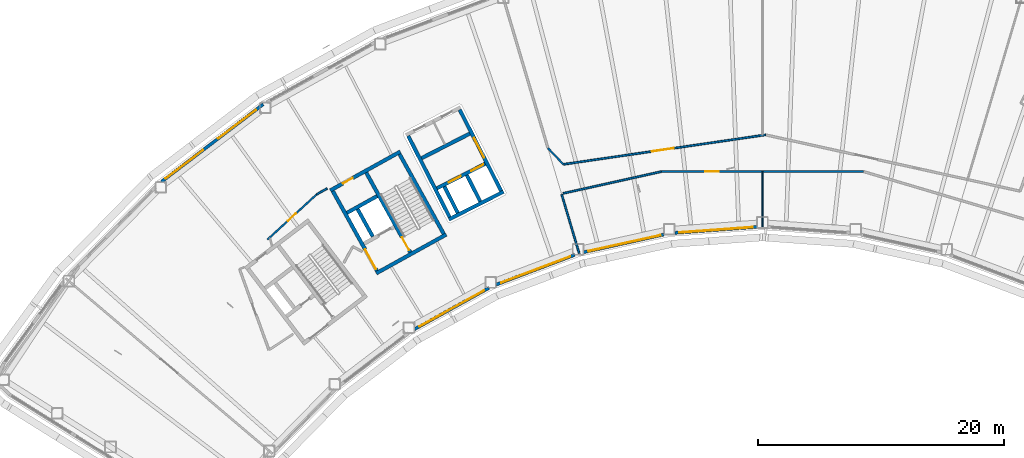
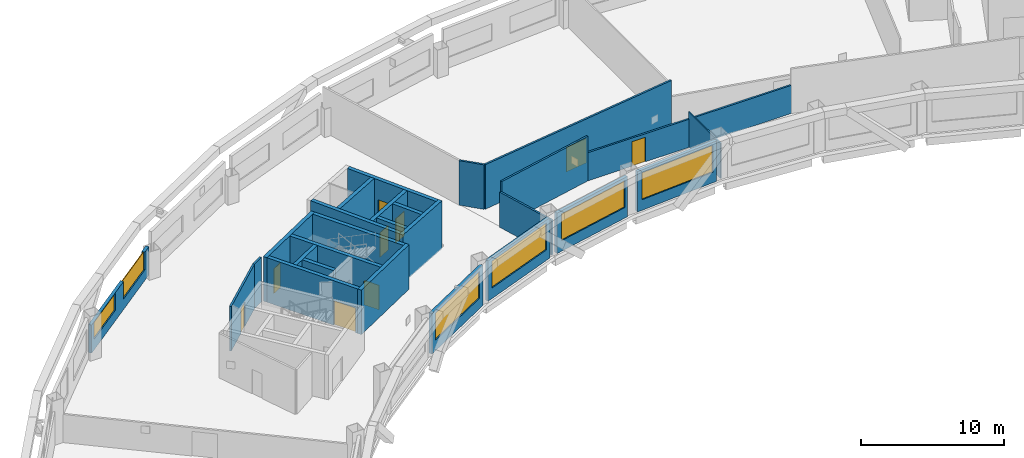
# One storey, part 6 of 20: 27 walls, 9 doors, 6 windows, 15 openings.
"""IFC4 building model written with IfcOpenShell, lengths in metres."""

import ifcopenshell
import ifcopenshell.guid

model = None  # the IFC model being written
_history = None  # IfcOwnerHistory: only IFC2X3 demands one
_inside = {}  # id of a spatial element -> (the spatial element, [elements in it])
_under = {}  # id of a project, library or spatial element -> (it, [spatial elements below it])
_declared = {}  # id of a project -> (the project, [libraries it declares])
_typed = {}  # id of a type object -> (the type object, [elements of that type])
_made_of = {}  # id of a material, layer set ... -> (it, [elements and type objects made of it])


def new_model(schema):
    """Start an empty IFC model of exactly this schema.

    Asked for "IFC4X3", IfcOpenShell would pick the latest addendum, in which some entities
    have other attributes; the version numbers below select the first issue.
    IFC2X3 requires an IfcOwnerHistory on every rooted entity: one is made here for all.
    """
    global model, _history
    if schema == "IFC4X3":
        model = ifcopenshell.file(schema_version=(4, 3, 0, 0))
    else:
        model = ifcopenshell.file(schema=schema)
    _inside.clear()
    _under.clear()
    _declared.clear()
    _typed.clear()
    _made_of.clear()
    _history = None
    if model.schema == "IFC2X3":
        org = make("IfcOrganization", Name="unknown")
        user = make(
            "IfcPersonAndOrganization",
            ThePerson=make("IfcPerson", FamilyName="unknown"),
            TheOrganization=org,
        )
        app = make(
            "IfcApplication",
            ApplicationDeveloper=org,
            Version="unknown",
            ApplicationFullName="unknown",
            ApplicationIdentifier="unknown",
        )
        _history = make(
            "IfcOwnerHistory",
            OwningUser=user,
            OwningApplication=app,
            ChangeAction="ADDED",
            CreationDate=0,
        )
    return model


def make(cls, **values):
    """One entity of the class cls with the attributes given. An attribute that is None is left unset."""
    return model.create_entity(
        cls, **{name: value for name, value in values.items() if value is not None}
    )


def rooted(cls, **values):
    """An entity with a GlobalId (a new one), such as an element, a storey or a relation."""
    return make(cls, GlobalId=ifcopenshell.guid.new(), OwnerHistory=_history, **values)


def si_unit(unit_type, name, prefix=None):
    """IfcSIUnit, for example si_unit("LENGTHUNIT", "METRE", prefix="MILLI")."""
    return make("IfcSIUnit", UnitType=unit_type, Prefix=prefix, Name=name)


def assignment(units):
    """IfcUnitAssignment: the units of a project."""
    return None if units is None else make("IfcUnitAssignment", Units=units)


def point(xyz):
    """IfcCartesianPoint."""
    return None if xyz is None else make("IfcCartesianPoint", Coordinates=xyz)


def direction(xyz):
    """IfcDirection."""
    return None if xyz is None else make("IfcDirection", DirectionRatios=xyz)


def frame(location, z_axis=None, x_axis=None):
    """IfcAxis2Placement3D, a coordinate frame: its origin and axes. An axis left out is left unset."""
    return make(
        "IfcAxis2Placement3D",
        Location=point(location),
        Axis=direction(z_axis),
        RefDirection=direction(x_axis),
    )


def frame_2d(location, x_axis=None):
    """IfcAxis2Placement2D, a coordinate frame in the plane: its origin and x axis."""
    return make(
        "IfcAxis2Placement2D", Location=point(location), RefDirection=direction(x_axis)
    )


def origin():
    """The frame at (0, 0, 0) with its axes left unset."""
    return frame((0.0, 0.0, 0.0))


def place(relative_to, where):
    """IfcLocalPlacement: puts the frame where relative to a parent placement (None: the world)."""
    return make(
        "IfcLocalPlacement", PlacementRelTo=relative_to, RelativePlacement=where
    )


def context(
    kind, dimensions, precision=None, world=None, true_north=None, identifier=None
):
    """IfcGeometricRepresentationContext, for example the 3D "Model" context."""
    return make(
        "IfcGeometricRepresentationContext",
        ContextIdentifier=identifier,
        ContextType=kind,
        CoordinateSpaceDimension=dimensions,
        Precision=precision,
        WorldCoordinateSystem=world,
        TrueNorth=true_north,
    )


def subcontext(parent, identifier, kind, view, scale=None):
    """IfcGeometricRepresentationSubContext, for example "Body" below "Model"."""
    return make(
        "IfcGeometricRepresentationSubContext",
        ContextIdentifier=identifier,
        ContextType=kind,
        ParentContext=parent,
        TargetScale=scale,
        TargetView=view,
    )


def project(units=None, contexts=None):
    """IfcProject with its units and contexts."""
    return rooted(
        "IfcProject",
        Name="project",
        RepresentationContexts=contexts,
        UnitsInContext=assignment(units),
    )


def spatial(cls, under=None, at=None, **own):
    """A site, building, storey or space (cls), placed at a placement, below another one or the project."""
    s = rooted(cls, ObjectPlacement=at, **own)
    if under is not None:
        _under.setdefault(under.id(), (under, []))[1].append(s)
    return s


def profile(cls, at=None, kind="AREA", **sizes):
    """A parametric profile (cls). Its sizes go by their IFC names, for example OverallWidth=200.0."""
    return make(cls, ProfileType=kind, Position=at, **sizes)


def rectangle(**sizes):
    """IfcRectangleProfileDef."""
    return profile("IfcRectangleProfileDef", **sizes)


def extrude(swept, where, along, depth):
    """IfcExtrudedAreaSolid: the profile swept, set in the frame where, extruded along a direction by depth."""
    return make(
        "IfcExtrudedAreaSolid",
        SweptArea=swept,
        Position=where,
        ExtrudedDirection=direction(along),
        Depth=depth,
    )


def shape(context_of_items, identifier, shape_type, items):
    """IfcShapeRepresentation: the items that make up one representation, for example the "Body"."""
    return make(
        "IfcShapeRepresentation",
        ContextOfItems=context_of_items,
        RepresentationIdentifier=identifier,
        RepresentationType=shape_type,
        Items=items,
    )


def material(Name=None, Category=None):
    """IfcMaterial."""
    return make("IfcMaterial", Name=Name, Category=Category)


def layer(
    of_material, thickness, ventilated=None, Name=None, Category=None, Priority=None
):
    """IfcMaterialLayer: one layer of a wall or slab, of a material (None: an air gap)."""
    return make(
        "IfcMaterialLayer",
        Material=of_material,
        LayerThickness=thickness,
        IsVentilated=ventilated,
        Name=Name,
        Category=Category,
        Priority=Priority,
    )


def layer_set(layers, Name=None):
    """IfcMaterialLayerSet."""
    return make("IfcMaterialLayerSet", MaterialLayers=layers, LayerSetName=Name)


def made_of(thing, what):
    """Note that an element or type object is made of a material, layer set ...; save() writes the relation."""
    if what is not None:
        _made_of.setdefault(what.id(), (what, []))[1].append(thing)
    return thing


def type_object(cls, material=None, **own):
    """A type object (cls), such as IfcWallType, which elements share."""
    return made_of(rooted(cls, **own), material)


def element(
    cls,
    number,
    at=None,
    inside=None,
    cuts=None,
    type_object=None,
    material=None,
    context=None,
    identifier="Body",
    shape_type=None,
    held_by="IfcProductDefinitionShape",
    body=None,
    shapes=None,
    **own,
):
    """One element of the class cls, such as IfcWall. Its Tag is "e" and its number.

    at: its placement. inside: the storey or other place that contains it. cuts: it is an
    opening in that element (IfcRelVoidsElement). A single representation is given by context,
    identifier, shape_type and body (its items); several are given by shapes. held_by: the class
    of the entity that holds the representations. save() writes the other relations.
    """
    e = rooted(cls, Tag="e%d" % number, ObjectPlacement=at, **own)
    if body is not None:
        shapes = [shape(context, identifier, shape_type, body)]
    if shapes is not None:
        e.Representation = make(held_by, Representations=shapes)
    if inside is not None:
        _inside.setdefault(inside.id(), (inside, []))[1].append(e)
    if cuts is not None:
        rooted(
            "IfcRelVoidsElement", RelatingBuildingElement=cuts, RelatedOpeningElement=e
        )
    if type_object is not None:
        _typed.setdefault(type_object.id(), (type_object, []))[1].append(e)
    return made_of(e, material)


def fill(opening, filler):
    """IfcRelFillsElement: the door or window that sits in an opening."""
    return rooted(
        "IfcRelFillsElement",
        RelatingOpeningElement=opening,
        RelatedBuildingElement=filler,
    )


def aggregate(whole, parts):
    """IfcRelAggregates: a whole, such as a stair, and the parts it consists of."""
    return rooted("IfcRelAggregates", RelatingObject=whole, RelatedObjects=parts)


def save(model, path):
    """Write the relations noted so far, then the file.

    IfcRelAggregates (storeys below a building ...), IfcRelContainedInSpatialStructure (elements
    in a storey), IfcRelDefinesByType, IfcRelAssociatesMaterial and IfcRelDeclares: one each for
    every whole, place, type object, material and project.
    """
    for whole, parts in _under.values():
        aggregate(whole, parts)
    for where, things in _inside.values():
        rooted(
            "IfcRelContainedInSpatialStructure",
            RelatedElements=things,
            RelatingStructure=where,
        )
    for kind, things in _typed.values():
        rooted("IfcRelDefinesByType", RelatedObjects=things, RelatingType=kind)
    for what, things in _made_of.values():
        rooted("IfcRelAssociatesMaterial", RelatedObjects=things, RelatingMaterial=what)
    for by, libraries in _declared.values():
        rooted("IfcRelDeclares", RelatingContext=by, RelatedDefinitions=libraries)
    model.write(path)


model = new_model("IFC4")

# Units and contexts
model_context = context("Model", 3, precision=1e-05, world=origin(), true_north=direction((0.0, 1.0)))
body_context = subcontext(model_context, "Body", "Model", "MODEL_VIEW")
ifc_project = project(units=[si_unit("LENGTHUNIT", "METRE"), si_unit("AREAUNIT", "SQUARE_METRE"), si_unit("VOLUMEUNIT", "CUBIC_METRE"), si_unit("PLANEANGLEUNIT", "RADIAN"), si_unit("MASSUNIT", "GRAM", prefix="KILO")], contexts=[model_context])

# Site, building, storey
site_placement = place(None, origin())
site = spatial("IfcSite", under=ifc_project, at=site_placement, CompositionType="ELEMENT")
building_placement = place(site_placement, origin())
building = spatial("IfcBuilding", under=site, at=building_placement, Name="Tuul Gate Civic Tower", CompositionType="ELEMENT")
storey_placement = place(building_placement, frame((0.0, 0.0, 197.300048828125)))
storey = spatial("IfcBuildingStorey", under=building, at=storey_placement, Name="Level 45", CompositionType="ELEMENT", Elevation=197.300048828125)

# Walls
ifc_material_1 = material(Name="Concrete C50/60", Category="concrete")
ifc_layer_1 = layer(ifc_material_1, 0.300048828125)
ifc_layer_set_1 = layer_set([ifc_layer_1], Name="Concrete C50/60")
wall_type_1 = type_object("IfcWallType", Name="Core wall C50/60", PredefinedType="SHEAR", material=ifc_layer_set_1)
wall_1_placement = place(storey_placement, frame((-24.711669921875, -8.7158203125, 0.0), z_axis=(0.0, 0.0, 1.0), x_axis=(-0.874629909008, -0.484791215132, 0.0)))
element("IfcWall", 1, at=wall_1_placement, inside=storey, type_object=wall_type_1, Name="Core wall", PredefinedType="SHEAR", context=body_context, shape_type="SweptSolid", body=[
    extrude(rectangle(XDim=6.5, YDim=0.300048828125, at=frame_2d((3.25, 0.0))), origin(), (0.0, 0.0, 1.0), 3.800048828125),
])
wall_2_placement = place(storey_placement, frame((-30.327392578125, -5.59716796875, 0.0), z_axis=(0.0, 0.0, 1.0), x_axis=(-0.874629840737, -0.484791338301, 0.0)))
element("IfcWall", 2, at=wall_2_placement, inside=storey, type_object=wall_type_1, Name="Core wall", PredefinedType="SHEAR", context=body_context, shape_type="SweptSolid", body=[
    extrude(rectangle(XDim=2.800048828125, YDim=0.300048828125, at=frame_2d((1.39990234375, 0.0))), origin(), (0.0, 0.0, 1.0), 3.800048828125),
])

# Wall, opening, door
wall_3_placement = place(storey_placement, frame((-28.4443359375, -1.98095703125, 0.0), z_axis=(0.0, 0.0, 1.0), x_axis=(-0.874629909008, -0.484791215132, 0.0)))
wall_3 = element("IfcWall", 3, at=wall_3_placement, inside=storey, type_object=wall_type_1, Name="Core wall", PredefinedType="SHEAR", context=body_context, shape_type="SweptSolid", body=[
    extrude(rectangle(XDim=6.5, YDim=0.300048828125, at=frame_2d((3.25, 0.0))), origin(), (0.0, 0.0, 1.0), 3.800048828125),
])
opening_1_placement = place(wall_3_placement, frame((4.425048828125, 0.0, 0.0)))
opening_1 = element("IfcOpeningElement", 4, at=opening_1_placement, cuts=wall_3, Name="Opening P-D13", PredefinedType="OPENING", context=body_context, shape_type="SweptSolid", body=[
    extrude(rectangle(XDim=0.89990234375, YDim=2.10009765625, at=frame_2d((0.449951171875, 1.050048828125))), frame((0.0, 0.16015625, 0.0), z_axis=(0.0, -1.0, 0.0), x_axis=(1.0, 0.0, 0.0)), (0.0, 0.0, 1.0), 0.320068359375),
])
ifc_material_2 = material(Name="Timber door leaf", Category="wood")
door_type_1 = type_object("IfcDoorType", Name="Door D09", OperationType="NOTDEFINED", PredefinedType="DOOR", material=ifc_material_2)
door_1_placement = place(opening_1_placement, origin())
door_1 = element("IfcDoor", 5, at=door_1_placement, inside=storey, type_object=door_type_1, Name="Door P-D13", OperationType="SINGLE_SWING_LEFT", OverallHeight=2.10009765625, OverallWidth=0.89990234375, PredefinedType="DOOR", context=body_context, shape_type="SweptSolid", body=[
    extrude(rectangle(XDim=0.89990234375, YDim=2.10009765625, at=frame_2d((0.449951171875, 1.050048828125))), frame((0.0, 0.02490234375, 0.0), z_axis=(0.0, -1.0, 0.0), x_axis=(1.0, 0.0, 0.0)), (0.0, 0.0, 1.0), 0.050048828125),
])
fill(opening_1, door_1)

# Wall
wall_4_placement = place(storey_placement, frame((-24.91552734375, -8.6572265625, 0.0), z_axis=(0.0, 0.0, 1.0), x_axis=(-0.484777133038, 0.874637714304, 0.0)))
element("IfcWall", 6, at=wall_4_placement, inside=storey, type_object=wall_type_1, Name="Core wall", PredefinedType="SHEAR", context=body_context, shape_type="SweptSolid", body=[
    extrude(rectangle(XDim=7.400146484375, YDim=0.300048828125, at=frame_2d((3.7001953125, 0.0))), origin(), (0.0, 0.0, 1.0), 3.800048828125),
])

# Wall, opening, door
wall_5_placement = place(storey_placement, frame((-27.626953125, -10.16015625, 0.0), z_axis=(0.0, 0.0, 1.0), x_axis=(-0.484751894226, 0.874651702704, 0.0)))
wall_5 = element("IfcWall", 7, at=wall_5_placement, inside=storey, type_object=wall_type_1, Name="Core wall", PredefinedType="SHEAR", context=body_context, shape_type="SweptSolid", body=[
    extrude(rectangle(XDim=7.39990234375, YDim=0.300048828125, at=frame_2d((3.699951171875, 0.0))), origin(), (0.0, 0.0, 1.0), 3.800048828125),
])
opening_2_placement = place(wall_5_placement, frame((0.199951171875, 0.0, 0.0)))
opening_2 = element("IfcOpeningElement", 8, at=opening_2_placement, cuts=wall_5, Name="Opening SD-ST-2", PredefinedType="OPENING", context=body_context, shape_type="SweptSolid", body=[
    extrude(rectangle(XDim=1.199951171875, YDim=2.10009765625, at=frame_2d((0.60009765625, 1.050048828125))), frame((0.0, 0.16015625, 0.0), z_axis=(0.0, -1.0, 0.0), x_axis=(1.0, 0.0, 0.0)), (0.0, 0.0, 1.0), 0.320068359375),
])
ifc_material_3 = material(Name="Steel", Category="steel")
door_type_2 = type_object("IfcDoorType", Name="Stair door", OperationType="NOTDEFINED", PredefinedType="DOOR", material=ifc_material_3)
door_2_placement = place(opening_2_placement, origin())
door_2 = element("IfcDoor", 9, at=door_2_placement, inside=storey, type_object=door_type_2, Name="Stair door ST-2", OperationType="SINGLE_SWING_LEFT", OverallHeight=2.10009765625, OverallWidth=1.199951171875, PredefinedType="DOOR", context=body_context, shape_type="SweptSolid", body=[
    extrude(rectangle(XDim=1.199951171875, YDim=2.10009765625, at=frame_2d((0.60009765625, 1.050048828125))), frame((0.0, 0.02490234375, 0.0), z_axis=(0.0, -1.0, 0.0), x_axis=(1.0, 0.0, 0.0)), (0.0, 0.0, 1.0), 0.050048828125),
])
fill(opening_2, door_2)

# Wall
wall_6_placement = place(storey_placement, frame((-30.680419921875, -8.8798828125, 0.0), z_axis=(0.0, 0.0, 1.0), x_axis=(-0.484724115216, 0.874667097888, 0.0)))
element("IfcWall", 10, at=wall_6_placement, inside=storey, type_object=wall_type_1, Name="Core wall", PredefinedType="SHEAR", context=body_context, shape_type="SweptSolid", body=[
    extrude(rectangle(XDim=2.550048828125, YDim=0.300048828125, at=frame_2d((1.27490234375, 0.0))), origin(), (0.0, 0.0, 1.0), 3.800048828125),
])

# Wall, opening, door
wall_7_placement = place(storey_placement, frame((-30.33837890625, -11.6630859375, 0.0), z_axis=(0.0, 0.0, 1.0), x_axis=(-0.484751894226, 0.874651702704, 0.0)))
wall_7 = element("IfcWall", 11, at=wall_7_placement, inside=storey, type_object=wall_type_1, Name="Core wall", PredefinedType="SHEAR", context=body_context, shape_type="SweptSolid", body=[
    extrude(rectangle(XDim=7.39990234375, YDim=0.300048828125, at=frame_2d((3.699951171875, 0.0))), origin(), (0.0, 0.0, 1.0), 3.800048828125),
])
opening_3_placement = place(wall_7_placement, frame((0.175048828125, 0.0, 0.0)))
opening_3 = element("IfcOpeningElement", 12, at=opening_3_placement, cuts=wall_7, Name="Opening LB-W2-FLOBBY-1", PredefinedType="OPENING", context=body_context, shape_type="SweptSolid", body=[
    extrude(rectangle(XDim=1.800048828125, YDim=2.10009765625, at=frame_2d((0.89990234375, 1.050048828125))), frame((0.0, 0.16015625, 0.0), z_axis=(0.0, -1.0, 0.0), x_axis=(1.0, 0.0, 0.0)), (0.0, 0.0, 1.0), 0.320068359375),
])
ifc_material_4 = material(Name="Steel", Category="steel")
door_type_3 = type_object("IfcDoorType", Name="Lobby door", OperationType="DOUBLE_DOOR_SINGLE_SWING", PredefinedType="DOOR", material=ifc_material_4)
door_3_placement = place(opening_3_placement, origin())
door_3 = element("IfcDoor", 13, at=door_3_placement, inside=storey, type_object=door_type_3, Name="Lobby door W2-FLOBBY", OperationType="DOUBLE_DOOR_SINGLE_SWING", OverallHeight=2.10009765625, OverallWidth=1.800048828125, PredefinedType="DOOR", context=body_context, shape_type="SweptSolid", body=[
    extrude(rectangle(XDim=1.800048828125, YDim=2.10009765625, at=frame_2d((0.89990234375, 1.050048828125))), frame((0.0, 0.02490234375, 0.0), z_axis=(0.0, -1.0, 0.0), x_axis=(1.0, 0.0, 0.0)), (0.0, 0.0, 1.0), 0.050048828125),
])
fill(opening_3, door_3)

ifc_material_5 = material(Name="Gypsum board partition")
ifc_layer_2 = layer(ifc_material_5, 0.14990234375)
ifc_layer_set_2 = layer_set([ifc_layer_2], Name="Gypsum board partition")
wall_type_2 = type_object("IfcWallType", Name="Corridor wall P150", PredefinedType="PARTITIONING", material=ifc_layer_set_2)
wall_8_placement = place(storey_placement, frame((-15.178955078125, -3.010498046875, 0.0), z_axis=(0.0, 0.0, 1.0), x_axis=(0.989534381155, 0.144297292115, 0.0)))
wall_8 = element("IfcWall", 14, at=wall_8_placement, inside=storey, type_object=wall_type_2, Name="p025", PredefinedType="PARTITIONING", context=body_context, shape_type="SweptSolid", body=[
    extrude(rectangle(XDim=16.599609375, YDim=0.14990234375, at=frame_2d((8.2998046875, 0.0))), origin(), (0.0, 0.0, 1.0), 3.800048828125),
])
opening_4_placement = place(wall_8_placement, frame((7.27001953125, 0.0, 0.0)))
opening_4 = element("IfcOpeningElement", 15, at=opening_4_placement, cuts=wall_8, Name="Opening P-D08", PredefinedType="OPENING", context=body_context, shape_type="SweptSolid", body=[
    extrude(rectangle(XDim=1.800048828125, YDim=2.10009765625, at=frame_2d((0.89990234375, 1.050048828125))), frame((0.0, 0.0849609375, 0.0), z_axis=(0.0, -1.0, 0.0), x_axis=(1.0, 0.0, 0.0)), (0.0, 0.0, 1.0), 0.169921875),
])
ifc_material_6 = material(Name="Timber door leaf, double", Category="wood")
door_type_4 = type_object("IfcDoorType", Name="Door D18", OperationType="DOUBLE_DOOR_SINGLE_SWING", PredefinedType="DOOR", material=ifc_material_6)
door_4_placement = place(opening_4_placement, origin())
door_4 = element("IfcDoor", 16, at=door_4_placement, inside=storey, type_object=door_type_4, Name="Door P-D08", OperationType="DOUBLE_DOOR_SINGLE_SWING", OverallHeight=2.10009765625, OverallWidth=1.800048828125, PredefinedType="DOOR", context=body_context, shape_type="SweptSolid", body=[
    extrude(rectangle(XDim=1.800048828125, YDim=2.10009765625, at=frame_2d((0.89990234375, 1.050048828125))), frame((0.0, 0.02490234375, 0.0), z_axis=(0.0, -1.0, 0.0), x_axis=(1.0, 0.0, 0.0)), (0.0, 0.0, 1.0), 0.050048828125),
])
fill(opening_4, door_4)

# Walls
wall_9_placement = place(storey_placement, frame((-15.2099609375, -5.3759765625, 0.0), z_axis=(0.0, 0.0, 1.0), x_axis=(0.976108341033, 0.217284390983, 0.0)))
element("IfcWall", 17, at=wall_9_placement, inside=storey, type_object=wall_type_2, Name="p029", PredefinedType="PARTITIONING", context=body_context, shape_type="SweptSolid", body=[
    extrude(rectangle(XDim=8.1796875, YDim=0.14990234375, at=frame_2d((4.08984375, 0.0))), origin(), (0.0, 0.0, 1.0), 3.800048828125),
])
wall_10_placement = place(storey_placement, frame((-16.4453125, -1.690673828125, 0.0), z_axis=(0.0, 0.0, 1.0), x_axis=(0.688968865463, -0.724790937045, 0.0)))
element("IfcWall", 18, at=wall_10_placement, inside=storey, type_object=wall_type_2, Name="p030", PredefinedType="PARTITIONING", context=body_context, shape_type="SweptSolid", body=[
    extrude(rectangle(XDim=1.81298828125, YDim=0.14990234375, at=frame_2d((0.906494140625, 0.0))), origin(), (0.0, 0.0, 1.0), 3.800048828125),
])

# Wall, opening, door
wall_11_placement = place(storey_placement, frame((-39.243896484375, -9.12939453125, 0.0), z_axis=(0.0, 0.0, 1.0), x_axis=(0.736659657048, 0.676263668755, 0.0)))
wall_11 = element("IfcWall", 19, at=wall_11_placement, inside=storey, type_object=wall_type_2, Name="p031", PredefinedType="PARTITIONING", context=body_context, shape_type="SweptSolid", body=[
    extrude(rectangle(XDim=5.41259765625, YDim=0.14990234375, at=frame_2d((2.706298828125, 0.0))), origin(), (0.0, 0.0, 1.0), 3.800048828125),
])
opening_5_placement = place(wall_11_placement, frame((2.25634765625, 0.0, 0.0)))
opening_5 = element("IfcOpeningElement", 20, at=opening_5_placement, cuts=wall_11, Name="Opening P-D09", PredefinedType="OPENING", context=body_context, shape_type="SweptSolid", body=[
    extrude(rectangle(XDim=0.89990234375, YDim=2.10009765625, at=frame_2d((0.449951171875, 1.050048828125))), frame((0.0, 0.0849609375, 0.0), z_axis=(0.0, -1.0, 0.0), x_axis=(1.0, 0.0, 0.0)), (0.0, 0.0, 1.0), 0.169921875),
])
door_5_placement = place(opening_5_placement, origin())
door_5 = element("IfcDoor", 21, at=door_5_placement, inside=storey, type_object=door_type_1, Name="Door P-D09", OperationType="SINGLE_SWING_RIGHT", OverallHeight=2.10009765625, OverallWidth=0.89990234375, PredefinedType="DOOR", context=body_context, shape_type="SweptSolid", body=[
    extrude(rectangle(XDim=0.89990234375, YDim=2.10009765625, at=frame_2d((0.449951171875, 1.050048828125))), frame((0.0, 0.02490234375, 0.0), z_axis=(0.0, -1.0, 0.0), x_axis=(1.0, 0.0, 0.0)), (0.0, 0.0, 1.0), 0.050048828125),
])
fill(opening_5, door_5)

# Wall
wall_12_placement = place(storey_placement, frame((-35.253173828125, -5.46630859375, 0.0), z_axis=(0.0, 0.0, 1.0), x_axis=(0.866287736438, 0.499545350992, 0.0)))
element("IfcWall", 22, at=wall_12_placement, inside=storey, type_object=wall_type_2, Name="p032", PredefinedType="PARTITIONING", context=body_context, shape_type="SweptSolid", body=[
    extrude(rectangle(XDim=0.99462890625, YDim=0.14990234375, at=frame_2d((0.497314453125, 0.0))), origin(), (0.0, 0.0, 1.0), 3.800048828125),
])

# Wall, opening, door
ifc_material_7 = material(Name="Gypsum board partition")
ifc_layer_3 = layer(ifc_material_7, 0.14990234375)
ifc_layer_set_3 = layer_set([ifc_layer_3], Name="Gypsum board partition")
wall_type_3 = type_object("IfcWallType", Name="Corridor wall P150 2400 HIGH", PredefinedType="PARTITIONING", material=ifc_layer_set_3)
wall_13_placement = place(storey_placement, frame((-7.22119140625, -3.59814453125, 0.0), z_axis=(0.0, 0.0, 1.0), x_axis=(0.999999999558, 2.9735797e-05, 0.0)))
wall_13 = element("IfcWall", 23, at=wall_13_placement, inside=storey, type_object=wall_type_3, Name="p014", PredefinedType="PARTITIONING", context=body_context, shape_type="SweptSolid", body=[
    extrude(rectangle(XDim=16.420654296875, YDim=0.14990234375, at=frame_2d((8.21044921875, 0.0))), origin(), (0.0, 0.0, 1.0), 2.39990234375),
])
opening_6_placement = place(wall_13_placement, frame((3.5556640625, 0.0, 0.0)))
opening_6 = element("IfcOpeningElement", 24, at=opening_6_placement, cuts=wall_13, Name="Opening P-D07", PredefinedType="OPENING", context=body_context, shape_type="SweptSolid", body=[
    extrude(rectangle(XDim=1.10009765625, YDim=2.10009765625, at=frame_2d((0.550048828125, 1.050048828125))), frame((0.0, 0.0849609375, 0.0), z_axis=(0.0, -1.0, 0.0), x_axis=(1.0, 0.0, 0.0)), (0.0, 0.0, 1.0), 0.169921875),
])
ifc_material_8 = material(Name="Timber door leaf", Category="wood")
door_type_5 = type_object("IfcDoorType", Name="Door D11", OperationType="NOTDEFINED", PredefinedType="DOOR", material=ifc_material_8)
door_6_placement = place(opening_6_placement, frame((1.10009765625, 0.0, 0.0), z_axis=(0.0, 0.0, 1.0), x_axis=(-1.0, 0.0, 0.0)))
door_6 = element("IfcDoor", 25, at=door_6_placement, inside=storey, type_object=door_type_5, Name="Door P-D07", OperationType="SINGLE_SWING_LEFT", OverallHeight=2.10009765625, OverallWidth=1.10009765625, PredefinedType="DOOR", context=body_context, shape_type="SweptSolid", body=[
    extrude(rectangle(XDim=1.10009765625, YDim=2.10009765625, at=frame_2d((0.550048828125, 1.050048828125))), frame((0.0, 0.02490234375, 0.0), z_axis=(0.0, -1.0, 0.0), x_axis=(1.0, 0.0, 0.0)), (0.0, 0.0, 1.0), 0.050048828125),
])
fill(opening_6, door_6)

# Wall
ifc_material_9 = material(Name="Gypsum board partition")
ifc_layer_4 = layer(ifc_material_9, 0.14990234375)
ifc_layer_set_4 = layer_set([ifc_layer_4], Name="Gypsum board partition")
wall_type_4 = type_object("IfcWallType", Name="Corridor wall P150 3000 HIGH", PredefinedType="PARTITIONING", material=ifc_layer_set_4)
wall_14_placement = place(storey_placement, frame((-15.3232421875, -5.461669921875, 0.0), z_axis=(0.0, 0.0, 1.0), x_axis=(0.285221995485, -0.958461482425, 0.0)))
element("IfcWall", 26, at=wall_14_placement, inside=storey, type_object=wall_type_4, Name="p028", PredefinedType="PARTITIONING", context=body_context, shape_type="SweptSolid", body=[
    extrude(rectangle(XDim=4.985107421875, YDim=0.14990234375, at=frame_2d((2.49267578125, 0.0))), origin(), (0.0, 0.0, 1.0), 3.0),
])

# Wall, opening, window
ifc_material_10 = material(Name="Precast concrete C40/50", Category="concrete")
ifc_layer_5 = layer(ifc_material_10, 0.25)
ifc_layer_set_5 = layer_set([ifc_layer_5], Name="Precast concrete C40/50")
wall_type_5 = type_object("IfcWallType", Name="External wall", PredefinedType="STANDARD", material=ifc_layer_set_5)
wall_15_placement = place(storey_placement, frame((-27.287109375, -16.41064453125, 0.0), z_axis=(0.0, 0.0, 1.0), x_axis=(0.874626480016, 0.484797401452, 0.0)))
wall_15 = element("IfcWall", 27, at=wall_15_placement, inside=storey, type_object=wall_type_5, Name="External wall", PredefinedType="STANDARD", context=body_context, shape_type="SweptSolid", body=[
    extrude(rectangle(XDim=6.915283203125, YDim=0.25, at=frame_2d((3.45751953125, 0.0))), origin(), (0.0, 0.0, 1.0), 3.449951171875),
])
opening_7_placement = place(wall_15_placement, frame((0.4619140625, 0.0, 0.89990234375)))
opening_7 = element("IfcOpeningElement", 28, at=opening_7_placement, cuts=wall_15, Name="Opening W26", PredefinedType="OPENING", context=body_context, shape_type="SweptSolid", body=[
    extrude(rectangle(XDim=6.0, YDim=2.300048828125, at=frame_2d((3.0, 1.14990234375))), frame((0.0, 0.135009765625, 0.0), z_axis=(0.0, -1.0, 0.0), x_axis=(1.0, 0.0, 0.0)), (0.0, 0.0, 1.0), 0.27001953125),
])
ifc_material_11 = material(Name="Glass", Category="glass")
window_type_1 = type_object("IfcWindowType", Name="Window W26 6000 x 2300", PartitioningType="SINGLE_PANEL", PredefinedType="WINDOW", material=ifc_material_11)
window_1_placement = place(opening_7_placement, origin())
window_1 = element("IfcWindow", 29, at=window_1_placement, inside=storey, type_object=window_type_1, Name="Window", OverallHeight=2.300048828125, OverallWidth=6.0, PartitioningType="SINGLE_PANEL", PredefinedType="WINDOW", context=body_context, shape_type="SweptSolid", body=[
    extrude(rectangle(XDim=6.0, YDim=2.300048828125, at=frame_2d((3.0, 1.14990234375))), frame((0.0, 0.030029296875, 0.0), z_axis=(0.0, -1.0, 0.0), x_axis=(1.0, 0.0, 0.0)), (0.0, 0.0, 1.0), 0.06005859375),
])
fill(opening_7, window_1)

wall_16_placement = place(storey_placement, frame((-20.64697265625, -12.78515625, 0.0), z_axis=(0.0, 0.0, 1.0), x_axis=(0.935360534404, 0.353695731779, 0.0)))
wall_16 = element("IfcWall", 30, at=wall_16_placement, inside=storey, type_object=wall_type_5, Name="External wall", PredefinedType="STANDARD", context=body_context, shape_type="SweptSolid", body=[
    extrude(rectangle(XDim=6.81982421875, YDim=0.25, at=frame_2d((3.409912109375, 0.0))), origin(), (0.0, 0.0, 1.0), 3.449951171875),
])
opening_8_placement = place(wall_16_placement, frame((0.43798828125, 0.0, 0.89990234375)))
opening_8 = element("IfcOpeningElement", 31, at=opening_8_placement, cuts=wall_16, Name="Opening W26", PredefinedType="OPENING", context=body_context, shape_type="SweptSolid", body=[
    extrude(rectangle(XDim=6.0, YDim=2.300048828125, at=frame_2d((3.0, 1.14990234375))), frame((0.0, 0.135009765625, 0.0), z_axis=(0.0, -1.0, 0.0), x_axis=(1.0, 0.0, 0.0)), (0.0, 0.0, 1.0), 0.27001953125),
])
window_2_placement = place(opening_8_placement, origin())
window_2 = element("IfcWindow", 32, at=window_2_placement, inside=storey, type_object=window_type_1, Name="Window", OverallHeight=2.300048828125, OverallWidth=6.0, PartitioningType="SINGLE_PANEL", PredefinedType="WINDOW", context=body_context, shape_type="SweptSolid", body=[
    extrude(rectangle(XDim=6.0, YDim=2.300048828125, at=frame_2d((3.0, 1.14990234375))), frame((0.0, 0.030029296875, 0.0), z_axis=(0.0, -1.0, 0.0), x_axis=(1.0, 0.0, 0.0)), (0.0, 0.0, 1.0), 0.06005859375),
])
fill(opening_8, window_2)

wall_17_placement = place(storey_placement, frame((-13.5458984375, -10.15625, 0.0), z_axis=(0.0, 0.0, 1.0), x_axis=(0.976558520258, 0.21525207667, 0.0)))
wall_17 = element("IfcWall", 33, at=wall_17_placement, inside=storey, type_object=wall_type_5, Name="External wall", PredefinedType="STANDARD", context=body_context, shape_type="SweptSolid", body=[
    extrude(rectangle(XDim=6.670166015625, YDim=0.25, at=frame_2d((3.3349609375, 0.0))), origin(), (0.0, 0.0, 1.0), 3.449951171875),
])
opening_9_placement = place(wall_17_placement, frame((0.406982421875, 0.0, 0.89990234375)))
opening_9 = element("IfcOpeningElement", 34, at=opening_9_placement, cuts=wall_17, Name="Opening W26", PredefinedType="OPENING", context=body_context, shape_type="SweptSolid", body=[
    extrude(rectangle(XDim=6.0, YDim=2.300048828125, at=frame_2d((3.0, 1.14990234375))), frame((0.0, 0.135009765625, 0.0), z_axis=(0.0, -1.0, 0.0), x_axis=(1.0, 0.0, 0.0)), (0.0, 0.0, 1.0), 0.27001953125),
])
window_3_placement = place(opening_9_placement, origin())
window_3 = element("IfcWindow", 35, at=window_3_placement, inside=storey, type_object=window_type_1, Name="Window", OverallHeight=2.300048828125, OverallWidth=6.0, PartitioningType="SINGLE_PANEL", PredefinedType="WINDOW", context=body_context, shape_type="SweptSolid", body=[
    extrude(rectangle(XDim=6.0, YDim=2.300048828125, at=frame_2d((3.0, 1.14990234375))), frame((0.0, 0.030029296875, 0.0), z_axis=(0.0, -1.0, 0.0), x_axis=(1.0, 0.0, 0.0)), (0.0, 0.0, 1.0), 0.06005859375),
])
fill(opening_9, window_3)

wall_18_placement = place(storey_placement, frame((-6.132080078125, -8.581787109375, 0.0), z_axis=(0.0, 0.0, 1.0), x_axis=(0.99738574908, 0.072261106633, 0.0)))
wall_18 = element("IfcWall", 36, at=wall_18_placement, inside=storey, type_object=wall_type_5, Name="External wall", PredefinedType="STANDARD", context=body_context, shape_type="SweptSolid", body=[
    extrude(rectangle(XDim=6.689697265625, YDim=0.25, at=frame_2d((3.3447265625, 0.0))), origin(), (0.0, 0.0, 1.0), 3.449951171875),
])
opening_10_placement = place(wall_18_placement, frame((0.3681640625, 0.0, 0.89990234375)))
opening_10 = element("IfcOpeningElement", 37, at=opening_10_placement, cuts=wall_18, Name="Opening W26", PredefinedType="OPENING", context=body_context, shape_type="SweptSolid", body=[
    extrude(rectangle(XDim=6.0, YDim=2.300048828125, at=frame_2d((3.0, 1.14990234375))), frame((0.0, 0.135009765625, 0.0), z_axis=(0.0, -1.0, 0.0), x_axis=(1.0, 0.0, 0.0)), (0.0, 0.0, 1.0), 0.27001953125),
])
window_4_placement = place(opening_10_placement, origin())
window_4 = element("IfcWindow", 38, at=window_4_placement, inside=storey, type_object=window_type_1, Name="Window", OverallHeight=2.300048828125, OverallWidth=6.0, PartitioningType="SINGLE_PANEL", PredefinedType="WINDOW", context=body_context, shape_type="SweptSolid", body=[
    extrude(rectangle(XDim=6.0, YDim=2.300048828125, at=frame_2d((3.0, 1.14990234375))), frame((0.0, 0.030029296875, 0.0), z_axis=(0.0, -1.0, 0.0), x_axis=(1.0, 0.0, 0.0)), (0.0, 0.0, 1.0), 0.06005859375),
])
fill(opening_10, window_4)

# Wall, openings, windows
ifc_material_12 = material(Name="Precast concrete C40/50", Category="concrete")
ifc_layer_6 = layer(ifc_material_12, 0.25)
ifc_layer_set_6 = layer_set([ifc_layer_6], Name="Precast concrete C40/50")
wall_type_6 = type_object("IfcWallType", Name="External wall 2400 HIGH", PredefinedType="STANDARD", material=ifc_layer_set_6)
wall_19_placement = place(storey_placement, frame((-39.5859375, 1.86962890625, 0.0), z_axis=(0.0, 0.0, 1.0), x_axis=(-0.795602672483, -0.605818774501, 0.0)))
wall_19 = element("IfcWall", 39, at=wall_19_placement, inside=storey, type_object=wall_type_6, Name="External wall", PredefinedType="STANDARD", context=body_context, shape_type="SweptSolid", body=[
    extrude(rectangle(XDim=10.390380859375, YDim=0.25, at=frame_2d((5.1953125, 0.0))), origin(), (0.0, 0.0, 1.0), 2.39990234375),
])
opening_11_placement = place(wall_19_placement, frame((0.757080078125, 0.0, 0.89990234375)))
opening_11 = element("IfcOpeningElement", 40, at=opening_11_placement, cuts=wall_19, Name="Opening W155", PredefinedType="OPENING", context=body_context, shape_type="SweptSolid", body=[
    extrude(rectangle(XDim=3.85009765625, YDim=1.5, at=frame_2d((1.925048828125, 0.75))), frame((0.0, 0.135009765625, 0.0), z_axis=(0.0, -1.0, 0.0), x_axis=(1.0, 0.0, 0.0)), (0.0, 0.0, 1.0), 0.27001953125),
])
opening_12_placement = place(wall_19_placement, frame((6.12890625, 0.0, 0.89990234375)))
opening_12 = element("IfcOpeningElement", 41, at=opening_12_placement, cuts=wall_19, Name="Opening W103", PredefinedType="OPENING", context=body_context, shape_type="SweptSolid", body=[
    extrude(rectangle(XDim=3.85009765625, YDim=1.449951171875, at=frame_2d((1.925048828125, 0.72509765625))), frame((0.0, 0.135009765625, 0.0), z_axis=(0.0, -1.0, 0.0), x_axis=(1.0, 0.0, 0.0)), (0.0, 0.0, 1.0), 0.27001953125),
])
ifc_material_13 = material(Name="Glass", Category="glass")
window_type_2 = type_object("IfcWindowType", Name="Window 3850 x 1500", PartitioningType="SINGLE_PANEL", PredefinedType="WINDOW", material=ifc_material_13)
window_5_placement = place(opening_11_placement, origin())
window_5 = element("IfcWindow", 42, at=window_5_placement, inside=storey, type_object=window_type_2, Name="Window", OverallHeight=1.5, OverallWidth=3.85009765625, PartitioningType="SINGLE_PANEL", PredefinedType="WINDOW", context=body_context, shape_type="SweptSolid", body=[
    extrude(rectangle(XDim=3.85009765625, YDim=1.5, at=frame_2d((1.925048828125, 0.75))), frame((0.0, 0.030029296875, 0.0), z_axis=(0.0, -1.0, 0.0), x_axis=(1.0, 0.0, 0.0)), (0.0, 0.0, 1.0), 0.06005859375),
])
fill(opening_11, window_5)
ifc_material_14 = material(Name="Glass", Category="glass")
window_type_3 = type_object("IfcWindowType", Name="Window W103 3850 x 1450", PartitioningType="SINGLE_PANEL", PredefinedType="WINDOW", material=ifc_material_14)
window_6_placement = place(opening_12_placement, origin())
window_6 = element("IfcWindow", 43, at=window_6_placement, inside=storey, type_object=window_type_3, Name="Window", OverallHeight=1.449951171875, OverallWidth=3.85009765625, PartitioningType="SINGLE_PANEL", PredefinedType="WINDOW", context=body_context, shape_type="SweptSolid", body=[
    extrude(rectangle(XDim=3.85009765625, YDim=1.449951171875, at=frame_2d((1.925048828125, 0.72509765625))), frame((0.0, 0.030029296875, 0.0), z_axis=(0.0, -1.0, 0.0), x_axis=(1.0, 0.0, 0.0)), (0.0, 0.0, 1.0), 0.06005859375),
])
fill(opening_12, window_6)

# Wall
ifc_material_15 = material(Name="Concrete C40/50", Category="concrete")
ifc_layer_7 = layer(ifc_material_15, 0.300048828125)
ifc_layer_set_7 = layer_set([ifc_layer_7], Name="Concrete C40/50")
wall_type_7 = type_object("IfcWallType", Name="Lift shaft wall C40/50", PredefinedType="STANDARD", material=ifc_layer_set_7)
wall_20_placement = place(storey_placement, frame((-20.049072265625, -5.232421875, -0.300048828125), z_axis=(0.0, 0.0, 1.0), x_axis=(-0.891002976909, -0.453997461601, 0.0)))
element("IfcWall", 44, at=wall_20_placement, inside=storey, type_object=wall_type_7, Name="Shaft wall", PredefinedType="STANDARD", context=body_context, shape_type="SweptSolid", body=[
    extrude(rectangle(XDim=5.0, YDim=0.300048828125, at=frame_2d((2.5, 0.0))), origin(), (0.0, 0.0, 1.0), 4.10009765625),
])

# Wall, openings, doors
wall_21_placement = place(storey_placement, frame((-21.542236328125, -2.962890625, -0.300048828125), z_axis=(0.0, 0.0, 1.0), x_axis=(-0.891005618941, -0.453992276384, 0.0)))
wall_21 = element("IfcWall", 45, at=wall_21_placement, inside=storey, type_object=wall_type_7, Name="Shaft wall", PredefinedType="STANDARD", context=body_context, shape_type="SweptSolid", body=[
    extrude(rectangle(XDim=4.39990234375, YDim=0.300048828125, at=frame_2d((2.199951171875, 0.0))), origin(), (0.0, 0.0, 1.0), 4.10009765625),
])
opening_13_placement = place(wall_21_placement, frame((0.175048828125, 0.0, 0.300048828125)))
opening_13 = element("IfcOpeningElement", 46, at=opening_13_placement, cuts=wall_21, Name="Opening LD-M1", PredefinedType="OPENING", context=body_context, shape_type="SweptSolid", body=[
    extrude(rectangle(XDim=1.10009765625, YDim=2.10009765625, at=frame_2d((0.550048828125, 1.050048828125))), frame((0.0, 0.16015625, 0.0), z_axis=(0.0, -1.0, 0.0), x_axis=(1.0, 0.0, 0.0)), (0.0, 0.0, 1.0), 0.320068359375),
])
opening_14_placement = place(wall_21_placement, frame((2.22509765625, 0.0, 0.300048828125)))
opening_14 = element("IfcOpeningElement", 47, at=opening_14_placement, cuts=wall_21, Name="Opening LD-M2", PredefinedType="OPENING", context=body_context, shape_type="SweptSolid", body=[
    extrude(rectangle(XDim=1.10009765625, YDim=2.10009765625, at=frame_2d((0.550048828125, 1.050048828125))), frame((0.0, 0.16015625, 0.0), z_axis=(0.0, -1.0, 0.0), x_axis=(1.0, 0.0, 0.0)), (0.0, 0.0, 1.0), 0.320068359375),
])
ifc_material_16 = material(Name="Stainless steel", Category="steel")
door_type_6 = type_object("IfcDoorType", Name="Landing door", OperationType="DOUBLE_DOOR_SLIDING", PredefinedType="DOOR", material=ifc_material_16)
door_7_placement = place(opening_13_placement, origin())
door_7 = element("IfcDoor", 48, at=door_7_placement, inside=storey, type_object=door_type_6, Name="Mid-rise lift M1 landing door", OperationType="DOUBLE_DOOR_SLIDING", OverallHeight=2.10009765625, OverallWidth=1.10009765625, PredefinedType="DOOR", context=body_context, shape_type="SweptSolid", body=[
    extrude(rectangle(XDim=1.10009765625, YDim=2.10009765625, at=frame_2d((0.550048828125, 1.050048828125))), frame((0.0, 0.02490234375, 0.0), z_axis=(0.0, -1.0, 0.0), x_axis=(1.0, 0.0, 0.0)), (0.0, 0.0, 1.0), 0.050048828125),
])
fill(opening_13, door_7)
door_8_placement = place(opening_14_placement, origin())
door_8 = element("IfcDoor", 49, at=door_8_placement, inside=storey, type_object=door_type_6, Name="Mid-rise lift M2 landing door", OperationType="DOUBLE_DOOR_SLIDING", OverallHeight=2.10009765625, OverallWidth=1.10009765625, PredefinedType="DOOR", context=body_context, shape_type="SweptSolid", body=[
    extrude(rectangle(XDim=1.10009765625, YDim=2.10009765625, at=frame_2d((0.550048828125, 1.050048828125))), frame((0.0, 0.02490234375, 0.0), z_axis=(0.0, -1.0, 0.0), x_axis=(1.0, 0.0, 0.0)), (0.0, 0.0, 1.0), 0.050048828125),
])
fill(opening_14, door_8)

# Wall
wall_22_placement = place(storey_placement, frame((-22.790771484375, -0.5126953125, -0.300048828125), z_axis=(0.0, 0.0, 1.0), x_axis=(-0.891005618941, -0.453992276384, 0.0)))
element("IfcWall", 50, at=wall_22_placement, inside=storey, type_object=wall_type_7, Name="Shaft wall", PredefinedType="STANDARD", context=body_context, shape_type="SweptSolid", body=[
    extrude(rectangle(XDim=4.39990234375, YDim=0.300048828125, at=frame_2d((2.199951171875, 0.0))), origin(), (0.0, 0.0, 1.0), 4.10009765625),
])

# Wall, opening, door
wall_23_placement = place(storey_placement, frame((-20.2509765625, -5.166748046875, -0.300048828125), z_axis=(0.0, 0.0, 1.0), x_axis=(-0.45401029361, 0.89099643843, 0.0)))
wall_23 = element("IfcWall", 51, at=wall_23_placement, inside=storey, type_object=wall_type_7, Name="Shaft wall", PredefinedType="STANDARD", context=body_context, shape_type="SweptSolid", body=[
    extrude(rectangle(XDim=7.39990234375, YDim=0.300048828125, at=frame_2d((3.699951171875, 0.0))), origin(), (0.0, 0.0, 1.0), 4.10009765625),
])
opening_15_placement = place(wall_23_placement, frame((3.02490234375, 0.0, 0.300048828125)))
opening_15 = element("IfcOpeningElement", 52, at=opening_15_placement, cuts=wall_23, Name="Opening LB-W3-LOBBY-1", PredefinedType="OPENING", context=body_context, shape_type="SweptSolid", body=[
    extrude(rectangle(XDim=1.800048828125, YDim=2.10009765625, at=frame_2d((0.89990234375, 1.050048828125))), frame((0.0, 0.16015625, 0.0), z_axis=(0.0, -1.0, 0.0), x_axis=(1.0, 0.0, 0.0)), (0.0, 0.0, 1.0), 0.320068359375),
])
door_9_placement = place(opening_15_placement, origin())
door_9 = element("IfcDoor", 53, at=door_9_placement, inside=storey, type_object=door_type_3, Name="Lobby door W3-LOBBY", OperationType="DOUBLE_DOOR_SINGLE_SWING", OverallHeight=2.10009765625, OverallWidth=1.800048828125, PredefinedType="DOOR", context=body_context, shape_type="SweptSolid", body=[
    extrude(rectangle(XDim=1.800048828125, YDim=2.10009765625, at=frame_2d((0.89990234375, 1.050048828125))), frame((0.0, 0.02490234375, 0.0), z_axis=(0.0, -1.0, 0.0), x_axis=(1.0, 0.0, 0.0)), (0.0, 0.0, 1.0), 0.050048828125),
])
fill(opening_15, door_9)

# Walls
for number, where, z_axis, x_axis, name in (
    (54, (-21.94384765625, -6.029296875, -0.300048828125), (0.0, 0.0, 1.0), (-0.45403702923, 0.890982814698, 0.0), "Shaft wall"),
    (55, (-23.770263671875, -6.960205078125, -0.300048828125), (0.0, 0.0, 1.0), (-0.45399587725, 0.891003784189, 0.0), "Shaft wall"),
):
    element("IfcWall", number, at=place(storey_placement, frame(where, z_axis=z_axis, x_axis=x_axis)), inside=storey, type_object=wall_type_7, Name=name, PredefinedType="STANDARD", context=body_context, shape_type="SweptSolid", body=[
        extrude(rectangle(XDim=2.39990234375, YDim=0.300048828125, at=frame_2d((1.199951171875, 0.0))), origin(), (0.0, 0.0, 1.0), 4.10009765625),
    ])
wall_24_placement = place(storey_placement, frame((-24.438720703125, -7.300537109375, -0.300048828125), z_axis=(0.0, 0.0, 1.0), x_axis=(-0.453984101083, 0.891009784438, 0.0)))
element("IfcWall", 56, at=wall_24_placement, inside=storey, type_object=wall_type_7, Name="Shaft wall", PredefinedType="STANDARD", context=body_context, shape_type="SweptSolid", body=[
    extrude(rectangle(XDim=7.399658203125, YDim=0.300048828125, at=frame_2d((3.69970703125, 0.0))), origin(), (0.0, 0.0, 1.0), 4.10009765625),
])
ifc_material_17 = material(Name="Gypsum board partition")
ifc_layer_8 = layer(ifc_material_17, 0.10009765625)
ifc_layer_set_8 = layer_set([ifc_layer_8], Name="Gypsum board partition")
wall_type_8 = type_object("IfcWallType", Name="Partition P100 3000 HIGH", PredefinedType="PARTITIONING", material=ifc_layer_set_8)
wall_25_placement = place(storey_placement, frame((0.989990234375, -8.07080078125, 0.0), z_axis=(0.0, 0.0, 1.0), x_axis=(0.0, 1.0, 0.0)))
element("IfcWall", 57, at=wall_25_placement, inside=storey, type_object=wall_type_8, Name="p012", PredefinedType="PARTITIONING", context=body_context, shape_type="SweptSolid", body=[
    extrude(rectangle(XDim=4.472900390625, YDim=0.10009765625, at=frame_2d((2.236328125, 0.0))), origin(), (0.0, 0.0, 1.0), 3.0),
])

save(model, "model.ifc")
